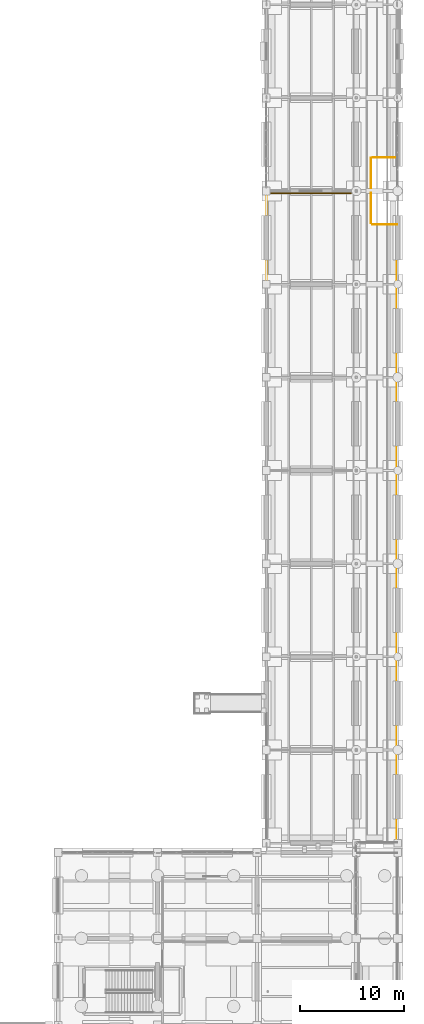
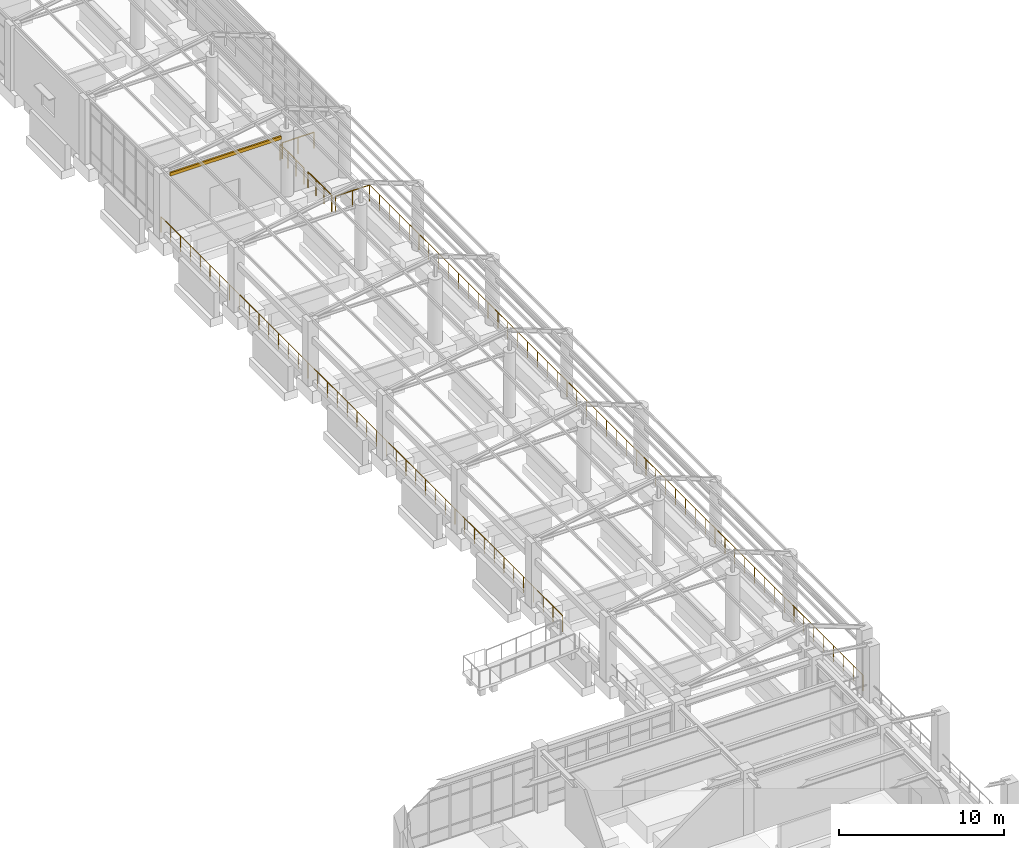
# One storey, part 109 of 111: 6 railings, 1 covering.
"""IFC4 building model written with IfcOpenShell, lengths in metres."""

import ifcopenshell
import ifcopenshell.guid

model = None  # the IFC model being written
_history = None  # IfcOwnerHistory: only IFC2X3 demands one
_inside = {}  # id of a spatial element -> (the spatial element, [elements in it])
_under = {}  # id of a project, library or spatial element -> (it, [spatial elements below it])
_declared = {}  # id of a project -> (the project, [libraries it declares])
_typed = {}  # id of a type object -> (the type object, [elements of that type])
_made_of = {}  # id of a material, layer set ... -> (it, [elements and type objects made of it])


def new_model(schema):
    """Start an empty IFC model of exactly this schema.

    Asked for "IFC4X3", IfcOpenShell would pick the latest addendum, in which some entities
    have other attributes; the version numbers below select the first issue.
    IFC2X3 requires an IfcOwnerHistory on every rooted entity: one is made here for all.
    """
    global model, _history
    if schema == "IFC4X3":
        model = ifcopenshell.file(schema_version=(4, 3, 0, 0))
    else:
        model = ifcopenshell.file(schema=schema)
    _inside.clear()
    _under.clear()
    _declared.clear()
    _typed.clear()
    _made_of.clear()
    _history = None
    if model.schema == "IFC2X3":
        org = make("IfcOrganization", Name="unknown")
        user = make(
            "IfcPersonAndOrganization",
            ThePerson=make("IfcPerson", FamilyName="unknown"),
            TheOrganization=org,
        )
        app = make(
            "IfcApplication",
            ApplicationDeveloper=org,
            Version="unknown",
            ApplicationFullName="unknown",
            ApplicationIdentifier="unknown",
        )
        _history = make(
            "IfcOwnerHistory",
            OwningUser=user,
            OwningApplication=app,
            ChangeAction="ADDED",
            CreationDate=0,
        )
    return model


def make(cls, **values):
    """One entity of the class cls with the attributes given. An attribute that is None is left unset."""
    return model.create_entity(
        cls, **{name: value for name, value in values.items() if value is not None}
    )


def rooted(cls, **values):
    """An entity with a GlobalId (a new one), such as an element, a storey or a relation."""
    return make(cls, GlobalId=ifcopenshell.guid.new(), OwnerHistory=_history, **values)


def si_unit(unit_type, name, prefix=None):
    """IfcSIUnit, for example si_unit("LENGTHUNIT", "METRE", prefix="MILLI")."""
    return make("IfcSIUnit", UnitType=unit_type, Prefix=prefix, Name=name)


def assignment(units):
    """IfcUnitAssignment: the units of a project."""
    return None if units is None else make("IfcUnitAssignment", Units=units)


def point(xyz):
    """IfcCartesianPoint."""
    return None if xyz is None else make("IfcCartesianPoint", Coordinates=xyz)


def direction(xyz):
    """IfcDirection."""
    return None if xyz is None else make("IfcDirection", DirectionRatios=xyz)


def frame(location, z_axis=None, x_axis=None):
    """IfcAxis2Placement3D, a coordinate frame: its origin and axes. An axis left out is left unset."""
    return make(
        "IfcAxis2Placement3D",
        Location=point(location),
        Axis=direction(z_axis),
        RefDirection=direction(x_axis),
    )


def frame_2d(location, x_axis=None):
    """IfcAxis2Placement2D, a coordinate frame in the plane: its origin and x axis."""
    return make(
        "IfcAxis2Placement2D", Location=point(location), RefDirection=direction(x_axis)
    )


def origin():
    """The frame at (0, 0, 0) with its axes left unset."""
    return frame((0.0, 0.0, 0.0))


def origin_2d():
    """The frame at (0, 0) in the plane with its x axis left unset."""
    return frame_2d((0.0, 0.0))


def place(relative_to, where):
    """IfcLocalPlacement: puts the frame where relative to a parent placement (None: the world)."""
    return make(
        "IfcLocalPlacement", PlacementRelTo=relative_to, RelativePlacement=where
    )


def context(
    kind, dimensions, precision=None, world=None, true_north=None, identifier=None
):
    """IfcGeometricRepresentationContext, for example the 3D "Model" context."""
    return make(
        "IfcGeometricRepresentationContext",
        ContextIdentifier=identifier,
        ContextType=kind,
        CoordinateSpaceDimension=dimensions,
        Precision=precision,
        WorldCoordinateSystem=world,
        TrueNorth=true_north,
    )


def subcontext(parent, identifier, kind, view, scale=None):
    """IfcGeometricRepresentationSubContext, for example "Body" below "Model"."""
    return make(
        "IfcGeometricRepresentationSubContext",
        ContextIdentifier=identifier,
        ContextType=kind,
        ParentContext=parent,
        TargetScale=scale,
        TargetView=view,
    )


def project(units=None, contexts=None):
    """IfcProject with its units and contexts."""
    return rooted(
        "IfcProject",
        Name="project",
        RepresentationContexts=contexts,
        UnitsInContext=assignment(units),
    )


def spatial(cls, under=None, at=None, **own):
    """A site, building, storey or space (cls), placed at a placement, below another one or the project."""
    s = rooted(cls, ObjectPlacement=at, **own)
    if under is not None:
        _under.setdefault(under.id(), (under, []))[1].append(s)
    return s


def profile(cls, at=None, kind="AREA", **sizes):
    """A parametric profile (cls). Its sizes go by their IFC names, for example OverallWidth=200.0."""
    return make(cls, ProfileType=kind, Position=at, **sizes)


def rectangle(**sizes):
    """IfcRectangleProfileDef."""
    return profile("IfcRectangleProfileDef", **sizes)


def circle(**sizes):
    """IfcCircleProfileDef."""
    return profile("IfcCircleProfileDef", **sizes)


def extrude(swept, where, along, depth):
    """IfcExtrudedAreaSolid: the profile swept, set in the frame where, extruded along a direction by depth."""
    return make(
        "IfcExtrudedAreaSolid",
        SweptArea=swept,
        Position=where,
        ExtrudedDirection=direction(along),
        Depth=depth,
    )


def shape(context_of_items, identifier, shape_type, items):
    """IfcShapeRepresentation: the items that make up one representation, for example the "Body"."""
    return make(
        "IfcShapeRepresentation",
        ContextOfItems=context_of_items,
        RepresentationIdentifier=identifier,
        RepresentationType=shape_type,
        Items=items,
    )


def material(Name=None, Category=None):
    """IfcMaterial."""
    return make("IfcMaterial", Name=Name, Category=Category)


def layer(
    of_material, thickness, ventilated=None, Name=None, Category=None, Priority=None
):
    """IfcMaterialLayer: one layer of a wall or slab, of a material (None: an air gap)."""
    return make(
        "IfcMaterialLayer",
        Material=of_material,
        LayerThickness=thickness,
        IsVentilated=ventilated,
        Name=Name,
        Category=Category,
        Priority=Priority,
    )


def layer_set(layers, Name=None):
    """IfcMaterialLayerSet."""
    return make("IfcMaterialLayerSet", MaterialLayers=layers, LayerSetName=Name)


def made_of(thing, what):
    """Note that an element or type object is made of a material, layer set ...; save() writes the relation."""
    if what is not None:
        _made_of.setdefault(what.id(), (what, []))[1].append(thing)
    return thing


def type_object(cls, material=None, **own):
    """A type object (cls), such as IfcWallType, which elements share."""
    return made_of(rooted(cls, **own), material)


def element(
    cls,
    number,
    at=None,
    inside=None,
    cuts=None,
    type_object=None,
    material=None,
    context=None,
    identifier="Body",
    shape_type=None,
    held_by="IfcProductDefinitionShape",
    body=None,
    shapes=None,
    **own,
):
    """One element of the class cls, such as IfcWall. Its Tag is "e" and its number.

    at: its placement. inside: the storey or other place that contains it. cuts: it is an
    opening in that element (IfcRelVoidsElement). A single representation is given by context,
    identifier, shape_type and body (its items); several are given by shapes. held_by: the class
    of the entity that holds the representations. save() writes the other relations.
    """
    e = rooted(cls, Tag="e%d" % number, ObjectPlacement=at, **own)
    if body is not None:
        shapes = [shape(context, identifier, shape_type, body)]
    if shapes is not None:
        e.Representation = make(held_by, Representations=shapes)
    if inside is not None:
        _inside.setdefault(inside.id(), (inside, []))[1].append(e)
    if cuts is not None:
        rooted(
            "IfcRelVoidsElement", RelatingBuildingElement=cuts, RelatedOpeningElement=e
        )
    if type_object is not None:
        _typed.setdefault(type_object.id(), (type_object, []))[1].append(e)
    return made_of(e, material)


def aggregate(whole, parts):
    """IfcRelAggregates: a whole, such as a stair, and the parts it consists of."""
    return rooted("IfcRelAggregates", RelatingObject=whole, RelatedObjects=parts)


def save(model, path):
    """Write the relations noted so far, then the file.

    IfcRelAggregates (storeys below a building ...), IfcRelContainedInSpatialStructure (elements
    in a storey), IfcRelDefinesByType, IfcRelAssociatesMaterial and IfcRelDeclares: one each for
    every whole, place, type object, material and project.
    """
    for whole, parts in _under.values():
        aggregate(whole, parts)
    for where, things in _inside.values():
        rooted(
            "IfcRelContainedInSpatialStructure",
            RelatedElements=things,
            RelatingStructure=where,
        )
    for kind, things in _typed.values():
        rooted("IfcRelDefinesByType", RelatedObjects=things, RelatingType=kind)
    for what, things in _made_of.values():
        rooted("IfcRelAssociatesMaterial", RelatedObjects=things, RelatingMaterial=what)
    for by, libraries in _declared.values():
        rooted("IfcRelDeclares", RelatingContext=by, RelatedDefinitions=libraries)
    model.write(path)


model = new_model("IFC4")

# Units and contexts
model_context = context("Model", 3, precision=1e-05, world=origin(), true_north=direction((0.0, 1.0)))
body_context = subcontext(model_context, "Body", "Model", "MODEL_VIEW")
ifc_project = project(units=[si_unit("LENGTHUNIT", "METRE"), si_unit("AREAUNIT", "SQUARE_METRE"), si_unit("VOLUMEUNIT", "CUBIC_METRE"), si_unit("PLANEANGLEUNIT", "RADIAN"), si_unit("MASSUNIT", "GRAM", prefix="KILO")], contexts=[model_context])

# Site, building, storey
site_placement = place(None, origin())
site = spatial("IfcSite", under=ifc_project, at=site_placement, CompositionType="ELEMENT")
building_placement = place(site_placement, origin())
building = spatial("IfcBuilding", under=site, at=building_placement, Name="Canglan Escarpment Cableway Terminal", CompositionType="ELEMENT")
storey_placement = place(building_placement, frame((0.0, 0.0, 4.800048828125)))
storey = spatial("IfcBuildingStorey", under=building, at=storey_placement, Name="L01", CompositionType="ELEMENT", Elevation=4.800048828125)

# Covering
ifc_material_1 = material(Name="Carved classical limestone cornice", Category="masonry")
ifc_layer = layer(ifc_material_1, 0.1201171875, Name="Carved classical limestone cornice")
ifc_layer_set = layer_set([ifc_layer], Name="Carved classical limestone cornice")
covering_type = type_object("IfcCoveringType", Name="COV-CORNICE-STONE", PredefinedType="CLADDING", material=ifc_layer_set)
covering_placement = place(storey_placement, frame((171.612548828125, 96.780029296875, 4.2900390625), z_axis=(0.0, 0.0, 1.0), x_axis=(1.0, 0.0, 0.0)))
element("IfcCovering", 1, at=covering_placement, inside=storey, type_object=covering_type, Name="Classical carved limestone cornice CL-01", PredefinedType="CLADDING", context=body_context, shape_type="SweptSolid", body=[
    extrude(rectangle(XDim=7.77490234375, YDim=0.1201171875, at=origin_2d()), origin(), (0.0, 0.0, 1.0), 0.239990234375),
])

# Railings
ifc_material_2 = material(Name="Carved limestone and anodized bronze balustrade", Category="masonry")
railing_type = type_object("IfcRailingType", Name="RL-EXT-BALUSTRADE-1200", PredefinedType="BALUSTRADE", material=ifc_material_2)
railing_1_placement = place(storey_placement, frame((167.35009765625, 48.570068359375, 0.0)))
element("IfcRailing", 2, at=railing_1_placement, inside=storey, type_object=railing_type, Name="Classical terrace balustrade guard GD-01 (L01)", PredefinedType="BALUSTRADE", context=body_context, shape_type="SweptSolid", body=[
    extrude(circle(Radius=0.02392578125, at=origin_2d()), frame((0.0, 0.0, 1.17578125), z_axis=(0.0, 1.0, 0.0), x_axis=(-1.0, 0.0, 0.0)), (0.0, 0.0, 1.0), 48.614990234375),
    extrude(circle(Radius=0.02099609375, at=origin_2d()), origin(), (0.0, 0.0, 1.0), 1.15185546875),
    extrude(circle(Radius=0.02099609375, at=origin_2d()), frame((0.0, 1.185791015625, 0.0)), (0.0, 0.0, 1.0), 1.15185546875),
    extrude(circle(Radius=0.02099609375, at=origin_2d()), frame((0.0, 2.37158203125, 0.0)), (0.0, 0.0, 1.0), 1.15185546875),
    extrude(circle(Radius=0.02099609375, at=origin_2d()), frame((0.0, 3.55712890625, 0.0)), (0.0, 0.0, 1.0), 1.15185546875),
    extrude(circle(Radius=0.02099609375, at=origin_2d()), frame((0.0, 4.742919921875, 0.0)), (0.0, 0.0, 1.0), 1.15185546875),
    extrude(circle(Radius=0.02099609375, at=origin_2d()), frame((0.0, 5.9287109375, 0.0)), (0.0, 0.0, 1.0), 1.15185546875),
    extrude(circle(Radius=0.02099609375, at=origin_2d()), frame((0.0, 7.114501953125, 0.0)), (0.0, 0.0, 1.0), 1.15185546875),
    extrude(circle(Radius=0.02099609375, at=origin_2d()), frame((0.0, 8.300048828125, 0.0)), (0.0, 0.0, 1.0), 1.15185546875),
    extrude(circle(Radius=0.02099609375, at=origin_2d()), frame((0.0, 9.48583984375, 0.0)), (0.0, 0.0, 1.0), 1.15185546875),
    extrude(circle(Radius=0.02099609375, at=origin_2d()), frame((0.0, 10.671630859375, 0.0)), (0.0, 0.0, 1.0), 1.15185546875),
    extrude(circle(Radius=0.02099609375, at=origin_2d()), frame((0.0, 11.857421875, 0.0)), (0.0, 0.0, 1.0), 1.15185546875),
    extrude(circle(Radius=0.02099609375, at=origin_2d()), frame((0.0, 13.04296875, 0.0)), (0.0, 0.0, 1.0), 1.15185546875),
    extrude(circle(Radius=0.02099609375, at=origin_2d()), frame((0.0, 14.228759765625, 0.0)), (0.0, 0.0, 1.0), 1.15185546875),
    extrude(circle(Radius=0.02099609375, at=origin_2d()), frame((0.0, 15.41455078125, 0.0)), (0.0, 0.0, 1.0), 1.15185546875),
    extrude(circle(Radius=0.02099609375, at=origin_2d()), frame((0.0, 16.600341796875, 0.0)), (0.0, 0.0, 1.0), 1.15185546875),
    extrude(circle(Radius=0.02099609375, at=origin_2d()), frame((0.0, 17.785888671875, 0.0)), (0.0, 0.0, 1.0), 1.15185546875),
    extrude(circle(Radius=0.02099609375, at=origin_2d()), frame((0.0, 18.9716796875, 0.0)), (0.0, 0.0, 1.0), 1.15185546875),
    extrude(circle(Radius=0.02099609375, at=origin_2d()), frame((0.0, 20.157470703125, 0.0)), (0.0, 0.0, 1.0), 1.15185546875),
    extrude(circle(Radius=0.02099609375, at=origin_2d()), frame((0.0, 21.34326171875, 0.0)), (0.0, 0.0, 1.0), 1.15185546875),
    extrude(circle(Radius=0.02099609375, at=origin_2d()), frame((0.0, 22.52880859375, 0.0)), (0.0, 0.0, 1.0), 1.15185546875),
    extrude(circle(Radius=0.02099609375, at=origin_2d()), frame((0.0, 23.714599609375, 0.0)), (0.0, 0.0, 1.0), 1.15185546875),
    extrude(circle(Radius=0.02099609375, at=origin_2d()), frame((0.0, 24.900390625, 0.0)), (0.0, 0.0, 1.0), 1.15185546875),
    extrude(circle(Radius=0.02099609375, at=origin_2d()), frame((0.0, 26.086181640625, 0.0)), (0.0, 0.0, 1.0), 1.15185546875),
    extrude(circle(Radius=0.02099609375, at=origin_2d()), frame((0.0, 27.271728515625, 0.0)), (0.0, 0.0, 1.0), 1.15185546875),
    extrude(circle(Radius=0.02099609375, at=origin_2d()), frame((0.0, 28.45751953125, 0.0)), (0.0, 0.0, 1.0), 1.15185546875),
    extrude(circle(Radius=0.02099609375, at=origin_2d()), frame((0.0, 29.643310546875, 0.0)), (0.0, 0.0, 1.0), 1.15185546875),
    extrude(circle(Radius=0.02099609375, at=origin_2d()), frame((0.0, 30.8291015625, 0.0)), (0.0, 0.0, 1.0), 1.15185546875),
    extrude(circle(Radius=0.02099609375, at=origin_2d()), frame((0.0, 32.0146484375, 0.0)), (0.0, 0.0, 1.0), 1.15185546875),
    extrude(circle(Radius=0.02099609375, at=origin_2d()), frame((0.0, 33.200439453125, 0.0)), (0.0, 0.0, 1.0), 1.15185546875),
    extrude(circle(Radius=0.02099609375, at=origin_2d()), frame((0.0, 34.38623046875, 0.0)), (0.0, 0.0, 1.0), 1.15185546875),
    extrude(circle(Radius=0.02099609375, at=origin_2d()), frame((0.0, 35.572021484375, 0.0)), (0.0, 0.0, 1.0), 1.15185546875),
    extrude(circle(Radius=0.02099609375, at=origin_2d()), frame((0.0, 36.757568359375, 0.0)), (0.0, 0.0, 1.0), 1.15185546875),
    extrude(circle(Radius=0.02099609375, at=origin_2d()), frame((0.0, 37.943359375, 0.0)), (0.0, 0.0, 1.0), 1.15185546875),
    extrude(circle(Radius=0.02099609375, at=origin_2d()), frame((0.0, 39.129150390625, 0.0)), (0.0, 0.0, 1.0), 1.15185546875),
    extrude(circle(Radius=0.02099609375, at=origin_2d()), frame((0.0, 40.31494140625, 0.0)), (0.0, 0.0, 1.0), 1.15185546875),
    extrude(circle(Radius=0.02099609375, at=origin_2d()), frame((0.0, 41.50048828125, 0.0)), (0.0, 0.0, 1.0), 1.15185546875),
    extrude(circle(Radius=0.02099609375, at=origin_2d()), frame((0.0, 42.686279296875, 0.0)), (0.0, 0.0, 1.0), 1.15185546875),
    extrude(circle(Radius=0.02099609375, at=origin_2d()), frame((0.0, 43.8720703125, 0.0)), (0.0, 0.0, 1.0), 1.15185546875),
    extrude(circle(Radius=0.02099609375, at=origin_2d()), frame((0.0, 45.057861328125, 0.0)), (0.0, 0.0, 1.0), 1.15185546875),
    extrude(circle(Radius=0.02099609375, at=origin_2d()), frame((0.0, 46.243408203125, 0.0)), (0.0, 0.0, 1.0), 1.15185546875),
    extrude(circle(Radius=0.02099609375, at=origin_2d()), frame((0.0, 47.42919921875, 0.0)), (0.0, 0.0, 1.0), 1.15185546875),
    extrude(circle(Radius=0.02099609375, at=origin_2d()), frame((0.0, 48.614990234375, 0.0)), (0.0, 0.0, 1.0), 1.15185546875),
])
railing_2_placement = place(storey_placement, frame((179.81005859375, 100.25, 0.0)))
element("IfcRailing", 3, at=railing_2_placement, inside=storey, type_object=railing_type, Name="Classical terrace balustrade guard GD-01 (L01)", PredefinedType="BALUSTRADE", context=body_context, shape_type="SweptSolid", body=[
    extrude(circle(Radius=0.02392578125, at=origin_2d()), frame((0.0, 0.0, 1.17578125), z_axis=(-1.0, 0.0, 0.0), x_axis=(0.0, -1.0, 0.0)), (0.0, 0.0, 1.0), 2.219970703125),
    extrude(circle(Radius=0.02099609375, at=origin_2d()), origin(), (0.0, 0.0, 1.0), 1.15185546875),
    extrude(circle(Radius=0.02099609375, at=origin_2d()), frame((-1.10986328125, 0.0, 0.0)), (0.0, 0.0, 1.0), 1.15185546875),
    extrude(circle(Radius=0.02099609375, at=origin_2d()), frame((-2.219970703125, 0.0, 0.0)), (0.0, 0.0, 1.0), 1.15185546875),
])
railing_3_placement = place(storey_placement, frame((177.416015625, 100.20068359375, 0.0)))
element("IfcRailing", 4, at=railing_3_placement, inside=storey, type_object=railing_type, Name="Classical terrace balustrade guard GD-01 (L01)", PredefinedType="BALUSTRADE", context=body_context, shape_type="SweptSolid", body=[
    extrude(circle(Radius=0.02392578125, at=origin_2d()), frame((0.0, 0.0, 1.17578125), z_axis=(-0.002096958986, -0.999997801379, 0.0), x_axis=(0.999997801379, -0.002096958986, 0.0)), (0.0, 0.0, 1.0), 2.91064453125),
    extrude(circle(Radius=0.02099609375, at=origin_2d()), origin(), (0.0, 0.0, 1.0), 1.15185546875),
    extrude(circle(Radius=0.02099609375, at=origin_2d()), frame((-0.001953125, -0.97021484375, 0.0)), (0.0, 0.0, 1.0), 1.15185546875),
    extrude(circle(Radius=0.02099609375, at=origin_2d()), frame((-0.004150390625, -1.9404296875, 0.0)), (0.0, 0.0, 1.0), 1.15185546875),
    extrude(circle(Radius=0.02099609375, at=origin_2d()), frame((-0.006103515625, -2.91064453125, 0.0)), (0.0, 0.0, 1.0), 1.15185546875),
])
railing_4_placement = place(storey_placement, frame((177.409912109375, 96.81005859375, 0.0)))
element("IfcRailing", 5, at=railing_4_placement, inside=storey, type_object=railing_type, Name="Classical terrace balustrade guard GD-01 (L01)", PredefinedType="BALUSTRADE", context=body_context, shape_type="SweptSolid", body=[
    extrude(circle(Radius=0.02392578125, at=origin_2d()), frame((0.0, 0.0, 1.17578125), z_axis=(0.0, -1.0, 0.0), x_axis=(1.0, 0.0, 0.0)), (0.0, 0.0, 1.0), 2.880126953125),
    extrude(circle(Radius=0.02099609375, at=origin_2d()), origin(), (0.0, 0.0, 1.0), 1.15185546875),
    extrude(circle(Radius=0.02099609375, at=origin_2d()), frame((0.0, -0.9599609375, 0.0)), (0.0, 0.0, 1.0), 1.15185546875),
    extrude(circle(Radius=0.02099609375, at=origin_2d()), frame((0.0, -1.920166015625, 0.0)), (0.0, 0.0, 1.0), 1.15185546875),
    extrude(circle(Radius=0.02099609375, at=origin_2d()), frame((0.0, -2.880126953125, 0.0)), (0.0, 0.0, 1.0), 1.15185546875),
])
railing_5_placement = place(storey_placement, frame((177.559326171875, 93.756103515625, 0.0)))
element("IfcRailing", 6, at=railing_5_placement, inside=storey, type_object=railing_type, Name="Classical terrace balustrade guard GD-01 (L01)", PredefinedType="BALUSTRADE", context=body_context, shape_type="SweptSolid", body=[
    extrude(circle(Radius=0.02392578125, at=origin_2d()), frame((0.0, 0.0, 1.17578125), z_axis=(0.999996735513, -0.002555183809, 0.0), x_axis=(0.002555183809, 0.999996735513, 0.0)), (0.0, 0.0, 1.0), 2.388671875),
    extrude(circle(Radius=0.02099609375, at=origin_2d()), origin(), (0.0, 0.0, 1.0), 1.15185546875),
    extrude(circle(Radius=0.02099609375, at=origin_2d()), frame((1.1943359375, -0.0029296875, 0.0)), (0.0, 0.0, 1.0), 1.15185546875),
    extrude(circle(Radius=0.02099609375, at=origin_2d()), frame((2.388671875, -0.006103515625, 0.0)), (0.0, 0.0, 1.0), 1.15185546875),
])
railing_6_placement = place(storey_placement, frame((179.947998046875, 93.75, 0.0)))
element("IfcRailing", 7, at=railing_6_placement, inside=storey, type_object=railing_type, Name="Classical terrace balustrade guard GD-01 (L01)", PredefinedType="BALUSTRADE", context=body_context, shape_type="SweptSolid", body=[
    extrude(circle(Radius=0.02392578125, at=origin_2d()), frame((0.0, 0.0, 1.17578125), z_axis=(3.2716759e-05, -0.999999999465, 0.0), x_axis=(0.999999999465, 3.2716759e-05, 0.0)), (0.0, 0.0, 1.0), 59.697998046875),
    extrude(circle(Radius=0.02099609375, at=origin_2d()), origin(), (0.0, 0.0, 1.0), 1.15185546875),
    extrude(circle(Radius=0.02099609375, at=origin_2d()), frame((0.0, -1.19384765625, 0.0)), (0.0, 0.0, 1.0), 1.15185546875),
    extrude(circle(Radius=0.02099609375, at=origin_2d()), frame((0.0, -2.387939453125, 0.0)), (0.0, 0.0, 1.0), 1.15185546875),
    extrude(circle(Radius=0.02099609375, at=origin_2d()), frame((0.0, -3.581787109375, 0.0)), (0.0, 0.0, 1.0), 1.15185546875),
    extrude(circle(Radius=0.02099609375, at=origin_2d()), frame((0.000244140625, -4.77587890625, 0.0)), (0.0, 0.0, 1.0), 1.15185546875),
    extrude(circle(Radius=0.02099609375, at=origin_2d()), frame((0.000244140625, -5.9697265625, 0.0)), (0.0, 0.0, 1.0), 1.15185546875),
    extrude(circle(Radius=0.02099609375, at=origin_2d()), frame((0.000244140625, -7.163818359375, 0.0)), (0.0, 0.0, 1.0), 1.15185546875),
    extrude(circle(Radius=0.02099609375, at=origin_2d()), frame((0.000244140625, -8.357666015625, 0.0)), (0.0, 0.0, 1.0), 1.15185546875),
    extrude(circle(Radius=0.02099609375, at=origin_2d()), frame((0.000244140625, -9.5517578125, 0.0)), (0.0, 0.0, 1.0), 1.15185546875),
    extrude(circle(Radius=0.02099609375, at=origin_2d()), frame((0.000244140625, -10.74560546875, 0.0)), (0.0, 0.0, 1.0), 1.15185546875),
    extrude(circle(Radius=0.02099609375, at=origin_2d()), frame((0.00048828125, -11.939697265625, 0.0)), (0.0, 0.0, 1.0), 1.15185546875),
    extrude(circle(Radius=0.02099609375, at=origin_2d()), frame((0.00048828125, -13.133544921875, 0.0)), (0.0, 0.0, 1.0), 1.15185546875),
    extrude(circle(Radius=0.02099609375, at=origin_2d()), frame((0.00048828125, -14.32763671875, 0.0)), (0.0, 0.0, 1.0), 1.15185546875),
    extrude(circle(Radius=0.02099609375, at=origin_2d()), frame((0.00048828125, -15.521484375, 0.0)), (0.0, 0.0, 1.0), 1.15185546875),
    extrude(circle(Radius=0.02099609375, at=origin_2d()), frame((0.00048828125, -16.71533203125, 0.0)), (0.0, 0.0, 1.0), 1.15185546875),
    extrude(circle(Radius=0.02099609375, at=origin_2d()), frame((0.00048828125, -17.909423828125, 0.0)), (0.0, 0.0, 1.0), 1.15185546875),
    extrude(circle(Radius=0.02099609375, at=origin_2d()), frame((0.000732421875, -19.103271484375, 0.0)), (0.0, 0.0, 1.0), 1.15185546875),
    extrude(circle(Radius=0.02099609375, at=origin_2d()), frame((0.000732421875, -20.29736328125, 0.0)), (0.0, 0.0, 1.0), 1.15185546875),
    extrude(circle(Radius=0.02099609375, at=origin_2d()), frame((0.000732421875, -21.4912109375, 0.0)), (0.0, 0.0, 1.0), 1.15185546875),
    extrude(circle(Radius=0.02099609375, at=origin_2d()), frame((0.000732421875, -22.685302734375, 0.0)), (0.0, 0.0, 1.0), 1.15185546875),
    extrude(circle(Radius=0.02099609375, at=origin_2d()), frame((0.000732421875, -23.879150390625, 0.0)), (0.0, 0.0, 1.0), 1.15185546875),
    extrude(circle(Radius=0.02099609375, at=origin_2d()), frame((0.000732421875, -25.0732421875, 0.0)), (0.0, 0.0, 1.0), 1.15185546875),
    extrude(circle(Radius=0.02099609375, at=origin_2d()), frame((0.0009765625, -26.26708984375, 0.0)), (0.0, 0.0, 1.0), 1.15185546875),
    extrude(circle(Radius=0.02099609375, at=origin_2d()), frame((0.0009765625, -27.461181640625, 0.0)), (0.0, 0.0, 1.0), 1.15185546875),
    extrude(circle(Radius=0.02099609375, at=origin_2d()), frame((0.0009765625, -28.655029296875, 0.0)), (0.0, 0.0, 1.0), 1.15185546875),
    extrude(circle(Radius=0.02099609375, at=origin_2d()), frame((0.0009765625, -29.84912109375, 0.0)), (0.0, 0.0, 1.0), 1.15185546875),
    extrude(circle(Radius=0.02099609375, at=origin_2d()), frame((0.0009765625, -31.04296875, 0.0)), (0.0, 0.0, 1.0), 1.15185546875),
    extrude(circle(Radius=0.02099609375, at=origin_2d()), frame((0.0009765625, -32.23681640625, 0.0)), (0.0, 0.0, 1.0), 1.15185546875),
    extrude(circle(Radius=0.02099609375, at=origin_2d()), frame((0.0009765625, -33.430908203125, 0.0)), (0.0, 0.0, 1.0), 1.15185546875),
    extrude(circle(Radius=0.02099609375, at=origin_2d()), frame((0.001220703125, -34.624755859375, 0.0)), (0.0, 0.0, 1.0), 1.15185546875),
    extrude(circle(Radius=0.02099609375, at=origin_2d()), frame((0.001220703125, -35.81884765625, 0.0)), (0.0, 0.0, 1.0), 1.15185546875),
    extrude(circle(Radius=0.02099609375, at=origin_2d()), frame((0.001220703125, -37.0126953125, 0.0)), (0.0, 0.0, 1.0), 1.15185546875),
    extrude(circle(Radius=0.02099609375, at=origin_2d()), frame((0.001220703125, -38.206787109375, 0.0)), (0.0, 0.0, 1.0), 1.15185546875),
    extrude(circle(Radius=0.02099609375, at=origin_2d()), frame((0.001220703125, -39.400634765625, 0.0)), (0.0, 0.0, 1.0), 1.15185546875),
    extrude(circle(Radius=0.02099609375, at=origin_2d()), frame((0.001220703125, -40.5947265625, 0.0)), (0.0, 0.0, 1.0), 1.15185546875),
    extrude(circle(Radius=0.02099609375, at=origin_2d()), frame((0.00146484375, -41.78857421875, 0.0)), (0.0, 0.0, 1.0), 1.15185546875),
    extrude(circle(Radius=0.02099609375, at=origin_2d()), frame((0.00146484375, -42.982666015625, 0.0)), (0.0, 0.0, 1.0), 1.15185546875),
    extrude(circle(Radius=0.02099609375, at=origin_2d()), frame((0.00146484375, -44.176513671875, 0.0)), (0.0, 0.0, 1.0), 1.15185546875),
    extrude(circle(Radius=0.02099609375, at=origin_2d()), frame((0.00146484375, -45.370361328125, 0.0)), (0.0, 0.0, 1.0), 1.15185546875),
    extrude(circle(Radius=0.02099609375, at=origin_2d()), frame((0.00146484375, -46.564453125, 0.0)), (0.0, 0.0, 1.0), 1.15185546875),
    extrude(circle(Radius=0.02099609375, at=origin_2d()), frame((0.00146484375, -47.75830078125, 0.0)), (0.0, 0.0, 1.0), 1.15185546875),
    extrude(circle(Radius=0.02099609375, at=origin_2d()), frame((0.001708984375, -48.952392578125, 0.0)), (0.0, 0.0, 1.0), 1.15185546875),
    extrude(circle(Radius=0.02099609375, at=origin_2d()), frame((0.001708984375, -50.146240234375, 0.0)), (0.0, 0.0, 1.0), 1.15185546875),
    extrude(circle(Radius=0.02099609375, at=origin_2d()), frame((0.001708984375, -51.34033203125, 0.0)), (0.0, 0.0, 1.0), 1.15185546875),
    extrude(circle(Radius=0.02099609375, at=origin_2d()), frame((0.001708984375, -52.5341796875, 0.0)), (0.0, 0.0, 1.0), 1.15185546875),
    extrude(circle(Radius=0.02099609375, at=origin_2d()), frame((0.001708984375, -53.728271484375, 0.0)), (0.0, 0.0, 1.0), 1.15185546875),
    extrude(circle(Radius=0.02099609375, at=origin_2d()), frame((0.001708984375, -54.922119140625, 0.0)), (0.0, 0.0, 1.0), 1.15185546875),
    extrude(circle(Radius=0.02099609375, at=origin_2d()), frame((0.001953125, -56.1162109375, 0.0)), (0.0, 0.0, 1.0), 1.15185546875),
    extrude(circle(Radius=0.02099609375, at=origin_2d()), frame((0.001953125, -57.31005859375, 0.0)), (0.0, 0.0, 1.0), 1.15185546875),
    extrude(circle(Radius=0.02099609375, at=origin_2d()), frame((0.001953125, -58.504150390625, 0.0)), (0.0, 0.0, 1.0), 1.15185546875),
    extrude(circle(Radius=0.02099609375, at=origin_2d()), frame((0.001953125, -59.697998046875, 0.0)), (0.0, 0.0, 1.0), 1.15185546875),
])

save(model, "model.ifc")
